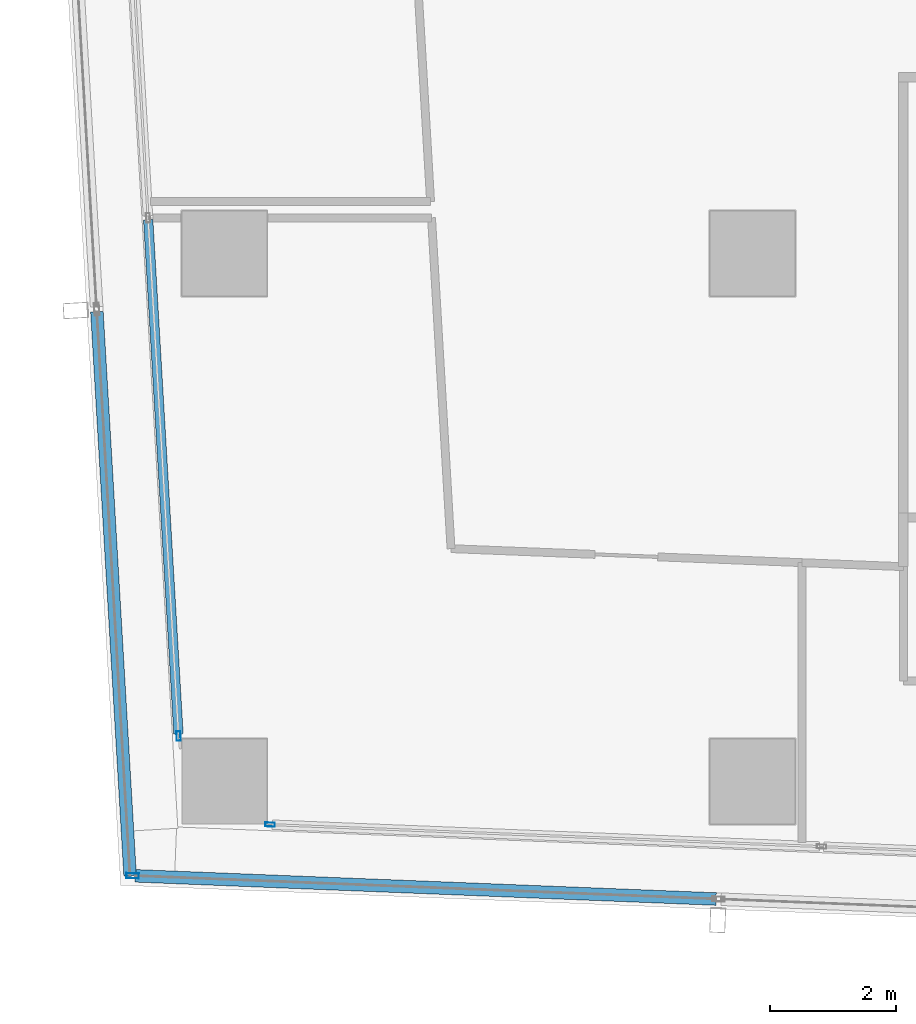
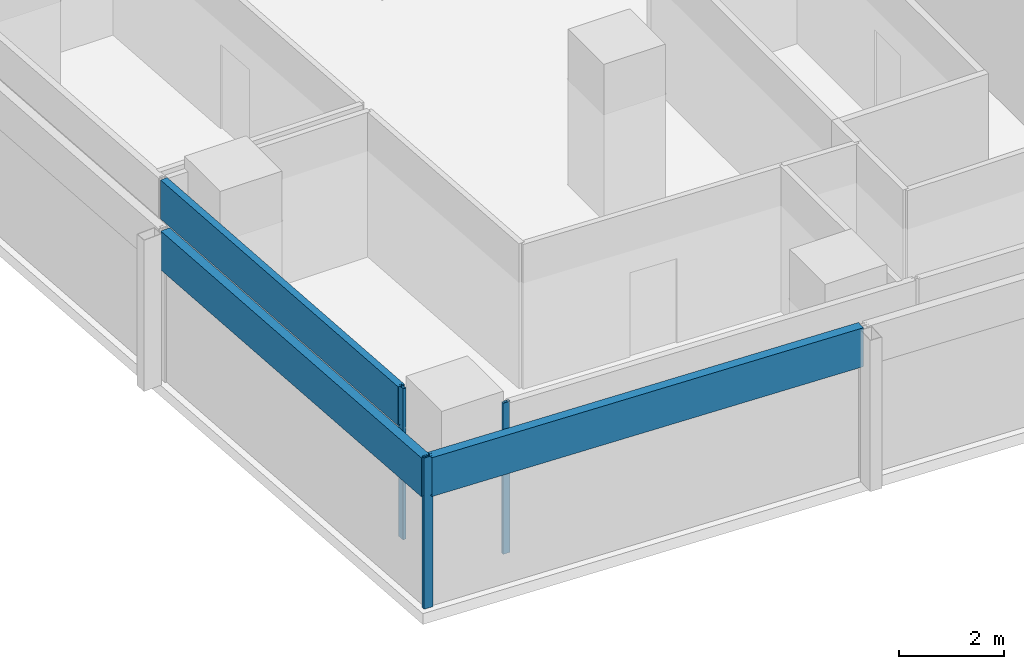
# One storey, part 2 of 39: 6 members, 4 elements without a shape of their own.
"""IFC4 building model written with IfcOpenShell, lengths in metres."""

from ifc_helpers import new_model, si_unit, direction, frame, origin, origin_2d, place, context, subcontext, project, spatial, hollow_rectangle, extrude, material, material_profile, profile_set, type_object, element, aggregate, save


model = new_model("IFC4")

# Units and contexts
model_context = context("Model", 3, precision=1e-05, world=origin(), true_north=direction((0.0, 1.0)))
body_context = subcontext(model_context, "Body", "Model", "MODEL_VIEW")
ifc_project = project(units=[si_unit("LENGTHUNIT", "METRE"), si_unit("AREAUNIT", "SQUARE_METRE"), si_unit("VOLUMEUNIT", "CUBIC_METRE"), si_unit("PLANEANGLEUNIT", "RADIAN"), si_unit("MASSUNIT", "GRAM", prefix="KILO")], contexts=[model_context])

# Site, building, storey
site_placement = place(None, origin())
site = spatial("IfcSite", under=ifc_project, at=site_placement, CompositionType="ELEMENT")
building_placement = place(site_placement, origin())
building = spatial("IfcBuilding", under=site, at=building_placement, Name="Rekha Terrace Tower", CompositionType="ELEMENT")
storey_placement = place(building_placement, frame((0.0, 0.0, 187.699951171875)))
storey = spatial("IfcBuildingStorey", under=building, at=storey_placement, Name="L47", CompositionType="ELEMENT", Elevation=187.699951171875)

# Curtain wall, member
ifc_material_1 = material(Name="Aluminium framing", Category="aluminium")
curtain_wall_type_1 = type_object("IfcCurtainWallType", Name="CW1 double skin inner glazing", PredefinedType="USERDEFINED", material=ifc_material_1)
curtain_wall_1_placement = place(storey_placement, origin())
curtain_wall_1 = element("IfcCurtainWall", 1, at=curtain_wall_1_placement, inside=storey, type_object=curtain_wall_type_1, Name="CW1 double skin inner glazing", ObjectType="DOUBLE SKIN INNER GLAZING", PredefinedType="USERDEFINED")
ifc_material_2 = material(Name="Aluminium mullion section", Category="aluminium")
ifc_material_profile_1 = material_profile(ifc_material_2, hollow_rectangle(XDim=0.06494140625, YDim=0.14990234375, WallThickness=0.00390625, at=origin_2d()), Name="AL RHS 65x150")
ifc_profile_set_1 = profile_set([ifc_material_profile_1], Name="Aluminium mullion section")
member_type_1 = type_object("IfcMemberType", Name="CW1 mullion RHS 65 x 150", PredefinedType="MULLION", material=ifc_profile_set_1)
member_1_placement = place(storey_placement, frame((9.127197265625, 16.115966796875, 0.0), z_axis=(0.0, 0.0, 1.0), x_axis=(0.039872497061, 0.999204775798, 0.0)))
member_1 = element("IfcMember", 2, at=member_1_placement, type_object=member_type_1, Name="CW1 mullion 1", PredefinedType="MULLION", context=body_context, shape_type="SweptSolid", body=[
    extrude(hollow_rectangle(XDim=0.06494140625, YDim=0.14990234375, WallThickness=0.00390625, at=origin_2d()), origin(), (0.0, 0.0, 1.0), 3.5),
])
aggregate(curtain_wall_1, [member_1])

# Curtain wall, members
curtain_wall_2_placement = place(storey_placement, origin())
curtain_wall_2 = element("IfcCurtainWall", 3, at=curtain_wall_2_placement, inside=storey, type_object=curtain_wall_type_1, Name="CW1 double skin inner glazing", ObjectType="DOUBLE SKIN INNER GLAZING", PredefinedType="USERDEFINED")
member_2_placement = place(storey_placement, frame((7.672119140625, 17.5244140625, 0.0), z_axis=(0.0, 0.0, 1.0), x_axis=(0.998271839269, 0.058765082516, 0.0)))
member_2 = element("IfcMember", 4, at=member_2_placement, type_object=member_type_1, Name="CW1 mullion 4", PredefinedType="MULLION", context=body_context, shape_type="SweptSolid", body=[
    extrude(hollow_rectangle(XDim=0.06494140625, YDim=0.14990234375, WallThickness=0.00390625, at=origin_2d()), origin(), (0.0, 0.0, 1.0), 3.5),
])
ifc_material_3 = material(Name="Insulated aluminium spandrel box", Category="aluminium")
ifc_material_profile_2 = material_profile(ifc_material_3, hollow_rectangle(XDim=0.14990234375, YDim=0.89990234375, WallThickness=0.0029296875, at=origin_2d()), Name="AL SPANDREL BOX 150x900")
ifc_profile_set_2 = profile_set([ifc_material_profile_2], Name="Insulated aluminium spandrel box")
member_type_2 = type_object("IfcMemberType", Name="CW1 spandrel transom 150 x 900", PredefinedType="USERDEFINED", material=ifc_profile_set_2)
member_3_placement = place(storey_placement, frame((7.188720703125, 25.733642578125, 3.050048828125), z_axis=(0.058777934282, -0.998271082643, 0.0), x_axis=(0.998271082643, 0.058777934282, 0.0)))
member_3 = element("IfcMember", 5, at=member_3_placement, type_object=member_type_2, Name="CW1 spandrel transom 3", ObjectType="TRANSOM", PredefinedType="USERDEFINED", context=body_context, shape_type="SweptSolid", body=[
    extrude(hollow_rectangle(XDim=0.14990234375, YDim=0.89990234375, WallThickness=0.0029296875, at=origin_2d()), origin(), (0.0, 0.0, 1.0), 8.19091796875),
])
aggregate(curtain_wall_2, [member_2, member_3])

curtain_wall_type_2 = type_object("IfcCurtainWallType", Name="CW2 double skin outer glazing", PredefinedType="USERDEFINED", material=ifc_material_1)
curtain_wall_3_placement = place(storey_placement, origin())
curtain_wall_3 = element("IfcCurtainWall", 6, at=curtain_wall_3_placement, inside=storey, type_object=curtain_wall_type_2, Name="CW2 double skin outer glazing", ObjectType="DOUBLE SKIN OUTER GLAZING", PredefinedType="USERDEFINED")
ifc_material_profile_3 = material_profile(ifc_material_2, hollow_rectangle(XDim=0.080078125, YDim=0.199951171875, WallThickness=0.00390625, at=origin_2d()), Name="AL RHS 80x200")
ifc_profile_set_3 = profile_set([ifc_material_profile_3], Name="Aluminium mullion section")
member_type_3 = type_object("IfcMemberType", Name="CW2 mullion RHS 80 x 200", PredefinedType="MULLION", material=ifc_profile_set_3)
member_4_placement = place(storey_placement, frame((6.941162109375, 15.302490234375, 0.0), z_axis=(0.0, 0.0, 1.0), x_axis=(0.039872497044, 0.999204775799, 0.0)))
member_4 = element("IfcMember", 7, at=member_4_placement, type_object=member_type_3, Name="CW2 mullion 1", PredefinedType="MULLION", context=body_context, shape_type="SweptSolid", body=[
    extrude(hollow_rectangle(XDim=0.080078125, YDim=0.199951171875, WallThickness=0.00390625, at=origin_2d()), origin(), (0.0, 0.0, 1.0), 3.5),
])
ifc_material_profile_4 = material_profile(ifc_material_3, hollow_rectangle(XDim=0.199951171875, YDim=0.89990234375, WallThickness=0.0029296875, at=origin_2d()), Name="AL SPANDREL BOX 200x900")
ifc_profile_set_4 = profile_set([ifc_material_profile_4], Name="Insulated aluminium spandrel box")
member_type_4 = type_object("IfcMemberType", Name="CW2 spandrel transom 200 x 900", PredefinedType="USERDEFINED", material=ifc_profile_set_4)
member_5_placement = place(storey_placement, frame((6.981201171875, 15.301025390625, 3.050048828125), z_axis=(0.999203782278, -0.039897386899, 0.0), x_axis=(0.039897386899, 0.999203782278, 0.0)))
member_5 = element("IfcMember", 8, at=member_5_placement, type_object=member_type_4, Name="CW2 spandrel transom 1", ObjectType="TRANSOM", PredefinedType="USERDEFINED", context=body_context, shape_type="SweptSolid", body=[
    extrude(hollow_rectangle(XDim=0.199951171875, YDim=0.89990234375, WallThickness=0.0029296875, at=origin_2d()), origin(), (0.0, 0.0, 1.0), 9.24609375),
])
aggregate(curtain_wall_3, [member_4, member_5])

# Curtain wall, member
curtain_wall_4_placement = place(storey_placement, origin())
curtain_wall_4 = element("IfcCurtainWall", 9, at=curtain_wall_4_placement, inside=storey, type_object=curtain_wall_type_2, Name="CW2 double skin outer glazing", ObjectType="DOUBLE SKIN OUTER GLAZING", PredefinedType="USERDEFINED")
member_6_placement = place(storey_placement, frame((6.373291015625, 24.27197265625, 3.050048828125), z_axis=(0.058757071111, -0.998272310842, 0.0), x_axis=(0.998272310842, 0.058757071111, 0.0)))
member_6 = element("IfcMember", 10, at=member_6_placement, type_object=member_type_4, Name="CW2 spandrel transom 3", ObjectType="TRANSOM", PredefinedType="USERDEFINED", context=body_context, shape_type="SweptSolid", body=[
    extrude(hollow_rectangle(XDim=0.199951171875, YDim=0.89990234375, WallThickness=0.0029296875, at=origin_2d()), origin(), (0.0, 0.0, 1.0), 8.9833984375),
])
aggregate(curtain_wall_4, [member_6])

save(model, "model.ifc")
